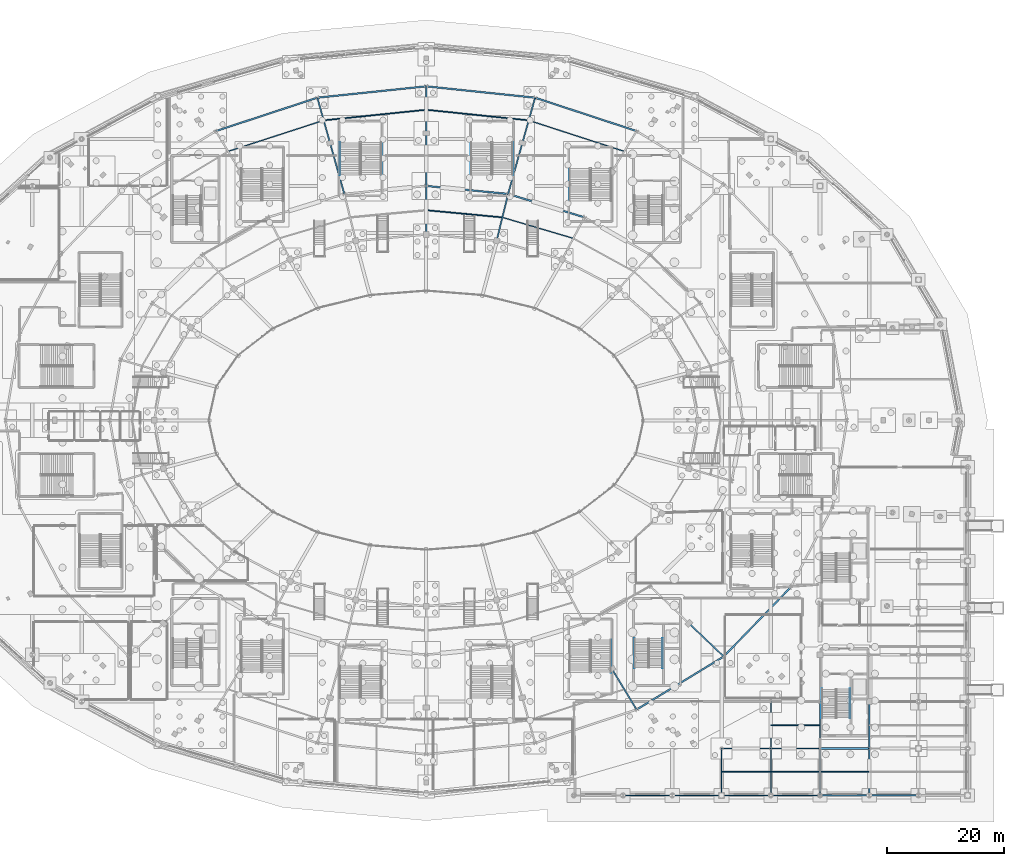
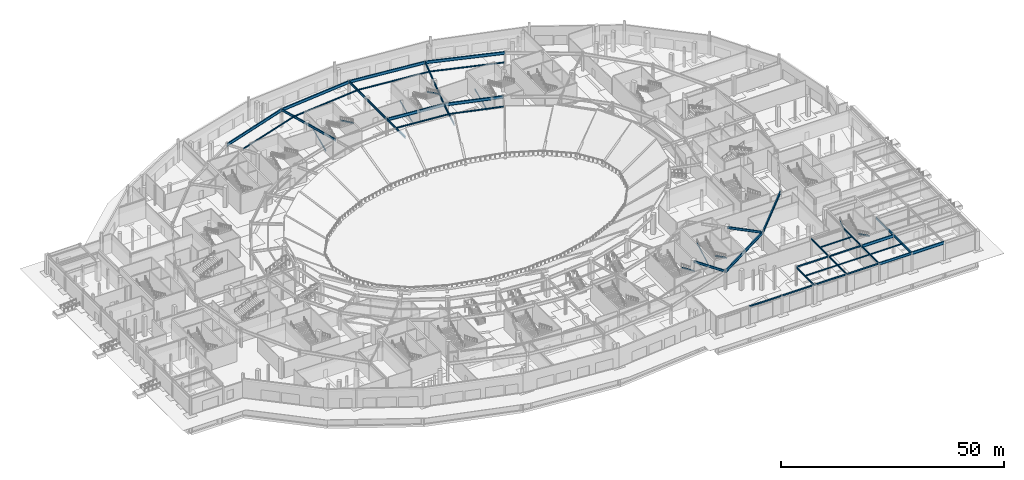
# One storey, part 36 of 93: 44 beams, 10 members.
"""IFC4 building model written with IfcOpenShell, lengths in metres."""

from ifc_helpers import new_model, si_unit, direction, frame, origin, origin_2d, place, context, subcontext, project, spatial, i_section, extrude, material, material_profile, profile_set, type_object, element, save


model = new_model("IFC4")

# Units and contexts
model_context = context("Model", 3, precision=1e-05, world=origin(), true_north=direction((0.0, 1.0)))
body_context = subcontext(model_context, "Body", "Model", "MODEL_VIEW")
ifc_project = project(units=[si_unit("LENGTHUNIT", "METRE"), si_unit("AREAUNIT", "SQUARE_METRE"), si_unit("VOLUMEUNIT", "CUBIC_METRE"), si_unit("PLANEANGLEUNIT", "RADIAN"), si_unit("MASSUNIT", "GRAM", prefix="KILO")], contexts=[model_context])

# Site, building, storey
site_placement = place(None, origin())
site = spatial("IfcSite", under=ifc_project, at=site_placement, CompositionType="ELEMENT")
building_placement = place(site_placement, origin())
building = spatial("IfcBuilding", under=site, at=building_placement, Name="Kalgoora Escarpment Arena", CompositionType="ELEMENT")
storey_placement = place(building_placement, origin())
storey = spatial("IfcBuildingStorey", under=building, at=storey_placement, Name="L00", CompositionType="ELEMENT", Elevation=0.0)

# Beams
ifc_material_1 = material(Name="Structural steel AS/NZS 3679 (300 MPa)", Category="steel")
ifc_material_profile_1 = material_profile(ifc_material_1, i_section(OverallWidth=0.172119140625, OverallDepth=0.35888671875, WebThickness=0.008056640625, FlangeThickness=0.012939453125, at=origin_2d()))
ifc_profile_set_1 = profile_set([ifc_material_profile_1], Name="Structural steel AS/NZS 3679 (300 MPa)")
beam_type_1 = type_object("IfcBeamType", Name="BM-BEAM-360UB56.7", PredefinedType="BEAM", material=ifc_profile_set_1)
beam_1_placement = place(storey_placement, frame((117.50244140625, 95.0556640625, 4.9404296875), z_axis=(-0.958914478104, 0.283695300775, 0.0), x_axis=(-0.283695300775, -0.958914478104, 0.0)))
element("IfcBeam", 1, at=beam_1_placement, inside=storey, type_object=beam_type_1, Name="L00 Concourse secondary ring beam 360UB56.7", PredefinedType="BEAM", context=body_context, shape_type="SweptSolid", body=[
    extrude(i_section(OverallWidth=0.172119140625, OverallDepth=0.35888671875, WebThickness=0.008056640625, FlangeThickness=0.012939453125, at=origin_2d()), origin(), (0.0, 0.0, 1.0), 12.627197265625),
])
beam_2_placement = place(storey_placement, frame((126.199951171875, 109.8994140625, 4.9404296875), z_axis=(-0.951103123122, 0.308873516489, 0.0), x_axis=(-0.308873516489, -0.951103123122, 0.0)))
element("IfcBeam", 2, at=beam_2_placement, inside=storey, type_object=beam_type_1, Name="L00 Concourse secondary ring beam 360UB56.7", PredefinedType="BEAM", context=body_context, shape_type="SweptSolid", body=[
    extrude(i_section(OverallWidth=0.172119140625, OverallDepth=0.35888671875, WebThickness=0.008056640625, FlangeThickness=0.012939453125, at=origin_2d()), origin(), (0.0, 0.0, 1.0), 17.141845703125),
])
beam_3_placement = place(storey_placement, frame((105.39404296875, 98.637939453125, 4.9404296875), z_axis=(-0.995605931387, 0.093642027892, 0.0), x_axis=(-0.093642027892, -0.995605931387, 0.0)))
element("IfcBeam", 3, at=beam_3_placement, inside=storey, type_object=beam_type_1, Name="L00 Concourse secondary ring beam 360UB56.7", PredefinedType="BEAM", context=body_context, shape_type="SweptSolid", body=[
    extrude(i_section(OverallWidth=0.172119140625, OverallDepth=0.35888671875, WebThickness=0.008056640625, FlangeThickness=0.012939453125, at=origin_2d()), origin(), (0.0, 0.0, 1.0), 13.051513671875),
])
beam_4_placement = place(storey_placement, frame((109.896240234375, 115.194091796875, 4.9404296875), z_axis=(-0.99471538009, 0.10267089467, 0.0), x_axis=(-0.10267089467, -0.99471538009, 0.0)))
element("IfcBeam", 4, at=beam_4_placement, inside=storey, type_object=beam_type_1, Name="L00 Concourse secondary ring beam 360UB56.7", PredefinedType="BEAM", context=body_context, shape_type="SweptSolid", body=[
    extrude(i_section(OverallWidth=0.172119140625, OverallDepth=0.35888671875, WebThickness=0.008056640625, FlangeThickness=0.012939453125, at=origin_2d()), origin(), (0.0, 0.0, 1.0), 17.58935546875),
])
beam_5_placement = place(storey_placement, frame((92.39990234375, 117.0, 4.9404296875), z_axis=(-0.994715233773, -0.102672312238, 0.0), x_axis=(0.102672312238, -0.994715233773, 0.0)))
element("IfcBeam", 5, at=beam_5_placement, inside=storey, type_object=beam_type_1, Name="L00 Concourse secondary ring beam 360UB56.7", PredefinedType="BEAM", context=body_context, shape_type="SweptSolid", body=[
    extrude(i_section(OverallWidth=0.172119140625, OverallDepth=0.35888671875, WebThickness=0.008056640625, FlangeThickness=0.012939453125, at=origin_2d()), origin(), (0.0, 0.0, 1.0), 17.589111328125),
])
beam_6_placement = place(storey_placement, frame((74.90380859375, 115.194091796875, 4.950439453125), z_axis=(-0.951103123122, -0.308873516489, 0.0), x_axis=(0.308873516489, -0.951103123122, 0.0)))
element("IfcBeam", 6, at=beam_6_placement, inside=storey, type_object=beam_type_1, Name="L00 Concourse secondary ring beam 360UB56.7", PredefinedType="BEAM", context=body_context, shape_type="SweptSolid", body=[
    extrude(i_section(OverallWidth=0.172119140625, OverallDepth=0.35888671875, WebThickness=0.008056640625, FlangeThickness=0.012939453125, at=origin_2d()), origin(), (0.0, 0.0, 1.0), 17.141845703125),
])
ifc_material_2 = material(Name="Structural steel AS/NZS 3679 (300 MPa)", Category="steel")
ifc_material_profile_2 = material_profile(ifc_material_2, i_section(OverallWidth=0.177978515625, OverallDepth=0.406005859375, WebThickness=0.0078125, FlangeThickness=0.0126953125, at=origin_2d()))
ifc_profile_set_2 = profile_set([ifc_material_profile_2], Name="Structural steel AS/NZS 3679 (300 MPa)")
beam_type_2 = type_object("IfcBeamType", Name="BM-GIRDER-410UB59.7", PredefinedType="USERDEFINED", material=ifc_profile_set_2)
beam_7_placement = place(storey_placement, frame((142.800048828125, 0.0, 4.947021484375), z_axis=(0.0, 1.0, 0.0), x_axis=(-1.0, 0.0, 0.0)))
element("IfcBeam", 7, at=beam_7_placement, inside=storey, type_object=beam_type_2, Name="L00 Floor girder 410UB59.7", ObjectType="GIRDER", PredefinedType="USERDEFINED", context=body_context, shape_type="SweptSolid", body=[
    extrude(i_section(OverallWidth=0.177978515625, OverallDepth=0.406005859375, WebThickness=0.0078125, FlangeThickness=0.0126953125, at=origin_2d()), origin(), (0.0, 0.0, 1.0), 8.0),
])
beam_8_placement = place(storey_placement, frame((142.800048828125, 8.0, 4.97705078125), z_axis=(1.0, 0.0, 0.0), x_axis=(0.0, 1.0, 0.0)))
element("IfcBeam", 8, at=beam_8_placement, inside=storey, type_object=beam_type_2, Name="L00 Floor girder 410UB59.7", ObjectType="GIRDER", PredefinedType="USERDEFINED", context=body_context, shape_type="SweptSolid", body=[
    extrude(i_section(OverallWidth=0.177978515625, OverallDepth=0.406005859375, WebThickness=0.0078125, FlangeThickness=0.0126953125, at=origin_2d()), origin(), (0.0, 0.0, 1.0), 8.39990234375),
])
beam_9_placement = place(storey_placement, frame((151.199951171875, 0.0, 4.947021484375), z_axis=(0.0, 1.0, 0.0), x_axis=(-1.0, 0.0, 0.0)))
element("IfcBeam", 9, at=beam_9_placement, inside=storey, type_object=beam_type_2, Name="L00 Floor girder 410UB59.7", ObjectType="GIRDER", PredefinedType="USERDEFINED", context=body_context, shape_type="SweptSolid", body=[
    extrude(i_section(OverallWidth=0.177978515625, OverallDepth=0.406005859375, WebThickness=0.0078125, FlangeThickness=0.0126953125, at=origin_2d()), origin(), (0.0, 0.0, 1.0), 8.0),
])
beam_10_placement = place(storey_placement, frame((151.199951171875, 8.0, 4.9169921875), z_axis=(1.0, 0.0, 0.0), x_axis=(0.0, 1.0, 0.0)))
element("IfcBeam", 10, at=beam_10_placement, inside=storey, type_object=beam_type_2, Name="L00 Floor girder 410UB59.7", ObjectType="GIRDER", PredefinedType="USERDEFINED", context=body_context, shape_type="SweptSolid", body=[
    extrude(i_section(OverallWidth=0.177978515625, OverallDepth=0.406005859375, WebThickness=0.0078125, FlangeThickness=0.0126953125, at=origin_2d()), origin(), (0.0, 0.0, 1.0), 8.400146484375),
])
for number, where, z_axis, x_axis, name in (
    (11, (151.199951171875, 8.0, 4.97705078125), (0.0, 1.0, 0.0), (-1.0, 0.0, 0.0), "L00 Floor girder 410UB59.7"),
    (12, (159.60009765625, 0.0, 4.9169921875), (0.0, 1.0, 0.0), (-1.0, 0.0, 0.0), "L00 Floor girder 410UB59.7"),
    (13, (159.60009765625, 8.0, 4.9169921875), (0.0, 1.0, 0.0), (-1.0, 0.0, 0.0), "L00 Floor girder 410UB59.7"),
):
    element("IfcBeam", number, at=place(storey_placement, frame(where, z_axis=z_axis, x_axis=x_axis)), inside=storey, type_object=beam_type_2, Name=name, ObjectType="GIRDER", PredefinedType="USERDEFINED", context=body_context, shape_type="SweptSolid", body=[
        extrude(i_section(OverallWidth=0.177978515625, OverallDepth=0.406005859375, WebThickness=0.0078125, FlangeThickness=0.0126953125, at=origin_2d()), origin(), (0.0, 0.0, 1.0), 8.0),
    ])
ifc_material_3 = material(Name="Structural steel AS/NZS 3679 (300 MPa)", Category="steel")
ifc_material_profile_3 = material_profile(ifc_material_3, i_section(OverallWidth=0.22900390625, OverallDepth=0.612060546875, WebThickness=0.011962890625, FlangeThickness=0.01953125, at=origin_2d()))
ifc_profile_set_3 = profile_set([ifc_material_profile_3], Name="Structural steel AS/NZS 3679 (300 MPa)")
beam_type_3 = type_object("IfcBeamType", Name="BM-GIRDER-610UB125", PredefinedType="USERDEFINED", material=ifc_profile_set_3)
for number, where, z_axis, x_axis, name in (
    (14, (168.0, 0.0, 4.81396484375), (0.0, 1.0, 0.0), (-1.0, 0.0, 0.0), "L00 Floor girder 610UB125"),
    (15, (168.0, 8.0, 4.81396484375), (0.0, 1.0, 0.0), (-1.0, 0.0, 0.0), "L00 Floor girder 610UB125"),
):
    element("IfcBeam", number, at=place(storey_placement, frame(where, z_axis=z_axis, x_axis=x_axis)), inside=storey, type_object=beam_type_3, Name=name, ObjectType="GIRDER", PredefinedType="USERDEFINED", context=body_context, shape_type="SweptSolid", body=[
        extrude(i_section(OverallWidth=0.22900390625, OverallDepth=0.612060546875, WebThickness=0.011962890625, FlangeThickness=0.01953125, at=origin_2d()), origin(), (0.0, 0.0, 1.0), 8.0),
    ])
beam_11_placement = place(storey_placement, frame((104.411865234375, 94.63916015625, 4.81396484375), z_axis=(0.238522773309, 0.971136904156, 0.0), x_axis=(-0.971136904156, 0.238522773309, 0.0)))
element("IfcBeam", 16, at=beam_11_placement, inside=storey, type_object=beam_type_3, Name="L00 Radial concourse girder 610UB125", ObjectType="GIRDER", PredefinedType="USERDEFINED", context=body_context, shape_type="SweptSolid", body=[
    extrude(i_section(OverallWidth=0.22900390625, OverallDepth=0.612060546875, WebThickness=0.011962890625, FlangeThickness=0.01953125, at=origin_2d()), origin(), (0.0, 0.0, 1.0), 8.235595703125),
])
beam_12_placement = place(storey_placement, frame((106.376220703125, 102.636962890625, 4.81396484375), z_axis=(0.269498512386, 0.963000805722, 0.0), x_axis=(-0.963000805722, 0.269498512386, 0.0)))
element("IfcBeam", 17, at=beam_12_placement, inside=storey, type_object=beam_type_3, Name="L00 Radial concourse girder 610UB125", ObjectType="GIRDER", PredefinedType="USERDEFINED", context=body_context, shape_type="SweptSolid", body=[
    extrude(i_section(OverallWidth=0.22900390625, OverallDepth=0.612060546875, WebThickness=0.011962890625, FlangeThickness=0.01953125, at=origin_2d()), origin(), (0.0, 0.0, 1.0), 9.02734375),
])
beam_13_placement = place(storey_placement, frame((108.80908203125, 111.330322265625, 4.81396484375), z_axis=(0.27082660355, 0.962628147734, 0.0), x_axis=(-0.962628147734, 0.27082660355, 0.0)))
element("IfcBeam", 18, at=beam_13_placement, inside=storey, type_object=beam_type_3, Name="L00 Radial concourse girder 610UB125", ObjectType="GIRDER", PredefinedType="USERDEFINED", context=body_context, shape_type="SweptSolid", body=[
    extrude(i_section(OverallWidth=0.22900390625, OverallDepth=0.612060546875, WebThickness=0.011962890625, FlangeThickness=0.01953125, at=origin_2d()), origin(), (0.0, 0.0, 1.0), 8.027587890625),
])
beam_14_placement = place(storey_placement, frame((92.39990234375, 95.719970703125, 4.81396484375), z_axis=(0.0, 1.0, 0.0), x_axis=(-1.0, 0.0, 0.0)))
element("IfcBeam", 19, at=beam_14_placement, inside=storey, type_object=beam_type_3, Name="L00 Radial concourse girder 610UB125", ObjectType="GIRDER", PredefinedType="USERDEFINED", context=body_context, shape_type="SweptSolid", body=[
    extrude(i_section(OverallWidth=0.22900390625, OverallDepth=0.612060546875, WebThickness=0.011962890625, FlangeThickness=0.01953125, at=origin_2d()), origin(), (0.0, 0.0, 1.0), 8.280029296875),
])
beam_15_placement = place(storey_placement, frame((92.39990234375, 104.0, 4.81396484375), z_axis=(0.0, 1.0, 0.0), x_axis=(-1.0, 0.0, 0.0)))
element("IfcBeam", 20, at=beam_15_placement, inside=storey, type_object=beam_type_3, Name="L00 Radial concourse girder 610UB125", ObjectType="GIRDER", PredefinedType="USERDEFINED", context=body_context, shape_type="SweptSolid", body=[
    extrude(i_section(OverallWidth=0.22900390625, OverallDepth=0.612060546875, WebThickness=0.011962890625, FlangeThickness=0.01953125, at=origin_2d()), origin(), (0.0, 0.0, 1.0), 9.0),
])
beam_16_placement = place(storey_placement, frame((92.39990234375, 113.0, 4.81396484375), z_axis=(0.0, 1.0, 0.0), x_axis=(-1.0, 0.0, 0.0)))
element("IfcBeam", 21, at=beam_16_placement, inside=storey, type_object=beam_type_3, Name="L00 Radial concourse girder 610UB125", ObjectType="GIRDER", PredefinedType="USERDEFINED", context=body_context, shape_type="SweptSolid", body=[
    extrude(i_section(OverallWidth=0.22900390625, OverallDepth=0.612060546875, WebThickness=0.011962890625, FlangeThickness=0.01953125, at=origin_2d()), origin(), (0.0, 0.0, 1.0), 8.0),
])
beam_17_placement = place(storey_placement, frame((78.423828125, 102.636962890625, 4.823974609375), z_axis=(-0.269498512386, 0.963000805722, 0.0), x_axis=(-0.963000805722, -0.269498512386, 0.0)))
element("IfcBeam", 22, at=beam_17_placement, inside=storey, type_object=beam_type_3, Name="L00 Radial concourse girder 610UB125", ObjectType="GIRDER", PredefinedType="USERDEFINED", context=body_context, shape_type="SweptSolid", body=[
    extrude(i_section(OverallWidth=0.22900390625, OverallDepth=0.612060546875, WebThickness=0.011962890625, FlangeThickness=0.01953125, at=origin_2d()), origin(), (0.0, 0.0, 1.0), 9.02734375),
])
beam_18_placement = place(storey_placement, frame((75.990966796875, 111.330322265625, 4.823974609375), z_axis=(-0.27082660355, 0.962628147734, 0.0), x_axis=(-0.962628147734, -0.27082660355, 0.0)))
element("IfcBeam", 23, at=beam_18_placement, inside=storey, type_object=beam_type_3, Name="L00 Radial concourse girder 610UB125", ObjectType="GIRDER", PredefinedType="USERDEFINED", context=body_context, shape_type="SweptSolid", body=[
    extrude(i_section(OverallWidth=0.22900390625, OverallDepth=0.612060546875, WebThickness=0.011962890625, FlangeThickness=0.01953125, at=origin_2d()), origin(), (0.0, 0.0, 1.0), 8.027587890625),
])
beam_19_placement = place(storey_placement, frame((124.10009765625, 21.564697265625, 4.8740234375), z_axis=(0.518407902139, -0.85513346736, 0.0), x_axis=(0.85513346736, 0.518407902139, 0.0)))
element("IfcBeam", 24, at=beam_19_placement, inside=storey, type_object=beam_type_3, Name="L00 Radial concourse girder 610UB125", ObjectType="GIRDER", PredefinedType="USERDEFINED", context=body_context, shape_type="SweptSolid", body=[
    extrude(i_section(OverallWidth=0.22900390625, OverallDepth=0.612060546875, WebThickness=0.011962890625, FlangeThickness=0.01953125, at=origin_2d()), origin(), (0.0, 0.0, 1.0), 8.1015625),
])
beam_20_placement = place(storey_placement, frame((137.230712890625, 29.351806640625, 4.81396484375), z_axis=(0.724130144905, -0.689663347757, 0.0), x_axis=(0.689663347757, 0.724130144905, 0.0)))
element("IfcBeam", 25, at=beam_20_placement, inside=storey, type_object=beam_type_3, Name="L00 Radial concourse girder 610UB125", ObjectType="GIRDER", PredefinedType="USERDEFINED", context=body_context, shape_type="SweptSolid", body=[
    extrude(i_section(OverallWidth=0.22900390625, OverallDepth=0.612060546875, WebThickness=0.011962890625, FlangeThickness=0.01953125, at=origin_2d()), origin(), (0.0, 0.0, 1.0), 8.20263671875),
])
ifc_material_4 = material(Name="Structural steel AS/NZS 3679 (300 MPa)", Category="steel")
ifc_material_profile_4 = material_profile(ifc_material_4, i_section(OverallWidth=0.27490234375, OverallDepth=0.800048828125, WebThickness=0.011962890625, FlangeThickness=0.02197265625, at=origin_2d()))
ifc_profile_set_4 = profile_set([ifc_material_profile_4], Name="Structural steel AS/NZS 3679 (300 MPa)")
beam_type_4 = type_object("IfcBeamType", Name="BM-GIRDER-800WB168", PredefinedType="USERDEFINED", material=ifc_profile_set_4)
beam_21_placement = place(storey_placement, frame((159.60009765625, 8.0, 4.719970703125), z_axis=(1.0, 0.0, 0.0), x_axis=(0.0, 1.0, 0.0)))
element("IfcBeam", 26, at=beam_21_placement, inside=storey, type_object=beam_type_4, Name="L00 Floor girder 800WB168", ObjectType="GIRDER", PredefinedType="USERDEFINED", context=body_context, shape_type="SweptSolid", body=[
    extrude(i_section(OverallWidth=0.27490234375, OverallDepth=0.800048828125, WebThickness=0.011962890625, FlangeThickness=0.02197265625, at=origin_2d()), origin(), (0.0, 0.0, 1.0), 8.39990234375),
])
beam_22_placement = place(storey_placement, frame((119.39990234375, 98.64111328125, 4.719970703125), z_axis=(-0.956014681671, 0.293318817038, 0.0), x_axis=(-0.293318817038, -0.956014681671, 0.0)))
element("IfcBeam", 27, at=beam_22_placement, inside=storey, type_object=beam_type_4, Name="L00 Circumferential concourse girder RMAIN 800WB168", ObjectType="GIRDER", PredefinedType="USERDEFINED", context=body_context, shape_type="SweptSolid", body=[
    extrude(i_section(OverallWidth=0.27490234375, OverallDepth=0.800048828125, WebThickness=0.011962890625, FlangeThickness=0.02197265625, at=origin_2d()), origin(), (0.0, 0.0, 1.0), 13.622802734375),
])
beam_23_placement = place(storey_placement, frame((106.376220703125, 102.636962890625, 4.719970703125), z_axis=(-0.995278116569, 0.097064260569, 0.0), x_axis=(-0.097064260569, -0.995278116569, 0.0)))
element("IfcBeam", 28, at=beam_23_placement, inside=storey, type_object=beam_type_4, Name="L00 Circumferential concourse girder RMAIN 800WB168", ObjectType="GIRDER", PredefinedType="USERDEFINED", context=body_context, shape_type="SweptSolid", body=[
    extrude(i_section(OverallWidth=0.27490234375, OverallDepth=0.800048828125, WebThickness=0.011962890625, FlangeThickness=0.02197265625, at=origin_2d()), origin(), (0.0, 0.0, 1.0), 14.042724609375),
])
ifc_material_5 = material(Name="Structural steel AS/NZS 3679 (300 MPa)", Category="steel")
ifc_material_profile_5 = material_profile(ifc_material_5, i_section(OverallWidth=0.166015625, OverallDepth=0.306884765625, WebThickness=0.006591796875, FlangeThickness=0.01171875, at=origin_2d()))
ifc_profile_set_5 = profile_set([ifc_material_profile_5], Name="Structural steel AS/NZS 3679 (300 MPa)")
beam_type_5 = type_object("IfcBeamType", Name="BM-JOIST-310UB46.2", PredefinedType="JOIST", material=ifc_profile_set_5)
beam_24_placement = place(storey_placement, frame((142.800048828125, 4.0, 4.99658203125), z_axis=(1.0, 0.0, 0.0), x_axis=(0.0, 1.0, 0.0)))
element("IfcBeam", 29, at=beam_24_placement, inside=storey, type_object=beam_type_5, Name="L00 Secondary composite floor joist 310UB46.2", PredefinedType="JOIST", context=body_context, shape_type="SweptSolid", body=[
    extrude(i_section(OverallWidth=0.166015625, OverallDepth=0.306884765625, WebThickness=0.006591796875, FlangeThickness=0.01171875, at=origin_2d()), origin(), (0.0, 0.0, 1.0), 8.322021484375),
])
beam_25_placement = place(storey_placement, frame((151.278076171875, 4.0, 4.99658203125), z_axis=(1.0, 0.0, 0.0), x_axis=(0.0, 1.0, 0.0)))
element("IfcBeam", 30, at=beam_25_placement, inside=storey, type_object=beam_type_5, Name="L00 Secondary composite floor joist 310UB46.2", PredefinedType="JOIST", context=body_context, shape_type="SweptSolid", body=[
    extrude(i_section(OverallWidth=0.166015625, OverallDepth=0.306884765625, WebThickness=0.006591796875, FlangeThickness=0.01171875, at=origin_2d()), origin(), (0.0, 0.0, 1.0), 8.243896484375),
])
beam_26_placement = place(storey_placement, frame((151.199951171875, 12.0, 4.966552734375), z_axis=(1.0, 0.0, 0.0), x_axis=(0.0, 1.0, 0.0)))
element("IfcBeam", 31, at=beam_26_placement, inside=storey, type_object=beam_type_5, Name="L00 Secondary composite floor joist 310UB46.2", PredefinedType="JOIST", context=body_context, shape_type="SweptSolid", body=[
    extrude(i_section(OverallWidth=0.166015625, OverallDepth=0.306884765625, WebThickness=0.006591796875, FlangeThickness=0.01171875, at=origin_2d()), origin(), (0.0, 0.0, 1.0), 8.400146484375),
])
beam_27_placement = place(storey_placement, frame((159.677978515625, 4.0, 4.99658203125), z_axis=(1.0, 0.0, 0.0), x_axis=(0.0, 1.0, 0.0)))
element("IfcBeam", 32, at=beam_27_placement, inside=storey, type_object=beam_type_5, Name="L00 Secondary composite floor joist 310UB46.2", PredefinedType="JOIST", context=body_context, shape_type="SweptSolid", body=[
    extrude(i_section(OverallWidth=0.166015625, OverallDepth=0.306884765625, WebThickness=0.006591796875, FlangeThickness=0.01171875, at=origin_2d()), origin(), (0.0, 0.0, 1.0), 8.244140625),
])
ifc_material_6 = material(Name="Structural steel AS/NZS 3679 (300 MPa)", Category="steel")
ifc_material_profile_6 = material_profile(ifc_material_6, i_section(OverallWidth=0.177978515625, OverallDepth=0.406005859375, WebThickness=0.0078125, FlangeThickness=0.0126953125, at=origin_2d()))
ifc_profile_set_6 = profile_set([ifc_material_profile_6], Name="Structural steel AS/NZS 3679 (300 MPa)")
beam_type_6 = type_object("IfcBeamType", Name="BM-SPANDREL-410UB59.7", PredefinedType="SPANDREL", material=ifc_profile_set_6)
beam_28_placement = place(storey_placement, frame((126.0, 0.0, 4.947021484375), z_axis=(1.0, 0.0, 0.0), x_axis=(0.0, 1.0, 0.0)))
element("IfcBeam", 33, at=beam_28_placement, inside=storey, type_object=beam_type_6, Name="L00 Floor girder 410UB59.7", PredefinedType="SPANDREL", context=body_context, shape_type="SweptSolid", body=[
    extrude(i_section(OverallWidth=0.177978515625, OverallDepth=0.406005859375, WebThickness=0.0078125, FlangeThickness=0.0126953125, at=origin_2d()), origin(), (0.0, 0.0, 1.0), 8.39990234375),
])
beam_29_placement = place(storey_placement, frame((134.39990234375, 0.0, 4.947021484375), z_axis=(1.0, 0.0, 0.0), x_axis=(0.0, 1.0, 0.0)))
element("IfcBeam", 34, at=beam_29_placement, inside=storey, type_object=beam_type_6, Name="L00 Floor girder 410UB59.7", PredefinedType="SPANDREL", context=body_context, shape_type="SweptSolid", body=[
    extrude(i_section(OverallWidth=0.177978515625, OverallDepth=0.406005859375, WebThickness=0.0078125, FlangeThickness=0.0126953125, at=origin_2d()), origin(), (0.0, 0.0, 1.0), 8.400146484375),
])
beam_30_placement = place(storey_placement, frame((142.800048828125, 0.0, 4.947021484375), z_axis=(1.0, 0.0, 0.0), x_axis=(0.0, 1.0, 0.0)))
element("IfcBeam", 35, at=beam_30_placement, inside=storey, type_object=beam_type_6, Name="L00 Floor girder 410UB59.7", PredefinedType="SPANDREL", context=body_context, shape_type="SweptSolid", body=[
    extrude(i_section(OverallWidth=0.177978515625, OverallDepth=0.406005859375, WebThickness=0.0078125, FlangeThickness=0.0126953125, at=origin_2d()), origin(), (0.0, 0.0, 1.0), 8.39990234375),
])
beam_31_placement = place(storey_placement, frame((151.199951171875, 0.0, 4.947021484375), z_axis=(1.0, 0.0, 0.0), x_axis=(0.0, 1.0, 0.0)))
element("IfcBeam", 36, at=beam_31_placement, inside=storey, type_object=beam_type_6, Name="L00 Floor girder 410UB59.7", PredefinedType="SPANDREL", context=body_context, shape_type="SweptSolid", body=[
    extrude(i_section(OverallWidth=0.177978515625, OverallDepth=0.406005859375, WebThickness=0.0078125, FlangeThickness=0.0126953125, at=origin_2d()), origin(), (0.0, 0.0, 1.0), 8.400146484375),
])
ifc_material_7 = material(Name="Structural steel AS/NZS 3679 (300 MPa)", Category="steel")
ifc_material_profile_7 = material_profile(ifc_material_7, i_section(OverallWidth=0.25, OverallDepth=0.699951171875, WebThickness=0.010009765625, FlangeThickness=0.02001953125, at=origin_2d()))
ifc_profile_set_7 = profile_set([ifc_material_profile_7], Name="Structural steel AS/NZS 3679 (300 MPa)")
beam_type_7 = type_object("IfcBeamType", Name="BM-SPANDREL-700WB130", PredefinedType="SPANDREL", material=ifc_profile_set_7)
beam_32_placement = place(storey_placement, frame((159.60009765625, 0.0, 4.800048828125), z_axis=(1.0, 0.0, 0.0), x_axis=(0.0, 1.0, 0.0)))
element("IfcBeam", 37, at=beam_32_placement, inside=storey, type_object=beam_type_7, Name="L00 Floor girder 700WB130", PredefinedType="SPANDREL", context=body_context, shape_type="SweptSolid", body=[
    extrude(i_section(OverallWidth=0.25, OverallDepth=0.699951171875, WebThickness=0.010009765625, FlangeThickness=0.02001953125, at=origin_2d()), origin(), (0.0, 0.0, 1.0), 8.39990234375),
])
ifc_material_8 = material(Name="Structural steel AS/NZS 3679 (300 MPa)", Category="steel")
ifc_material_profile_8 = material_profile(ifc_material_8, i_section(OverallWidth=0.27490234375, OverallDepth=0.800048828125, WebThickness=0.011962890625, FlangeThickness=0.02197265625, at=origin_2d()))
ifc_profile_set_8 = profile_set([ifc_material_profile_8], Name="Structural steel AS/NZS 3679 (300 MPa)")
beam_type_8 = type_object("IfcBeamType", Name="BM-SPANDREL-800WB168", PredefinedType="SPANDREL", material=ifc_profile_set_8)
beam_33_placement = place(storey_placement, frame((168.0, 0.0, 4.75), z_axis=(1.0, 0.0, 0.0), x_axis=(0.0, 1.0, 0.0)))
element("IfcBeam", 38, at=beam_33_placement, inside=storey, type_object=beam_type_8, Name="L00 Floor girder 800WB168", PredefinedType="SPANDREL", context=body_context, shape_type="SweptSolid", body=[
    extrude(i_section(OverallWidth=0.27490234375, OverallDepth=0.800048828125, WebThickness=0.011962890625, FlangeThickness=0.02197265625, at=origin_2d()), origin(), (0.0, 0.0, 1.0), 8.39990234375),
])
beam_34_placement = place(storey_placement, frame((128.300048828125, 113.36328125, 4.719970703125), z_axis=(-0.949954555117, 0.312388129115, 0.0), x_axis=(-0.312388129115, -0.949954555117, 0.0)))
element("IfcBeam", 39, at=beam_34_placement, inside=storey, type_object=beam_type_8, Name="L00 Circumferential concourse girder RCONC2 800WB168", PredefinedType="SPANDREL", context=body_context, shape_type="SweptSolid", body=[
    extrude(i_section(OverallWidth=0.27490234375, OverallDepth=0.800048828125, WebThickness=0.011962890625, FlangeThickness=0.02197265625, at=origin_2d()), origin(), (0.0, 0.0, 1.0), 18.229248046875),
])
beam_35_placement = place(storey_placement, frame((110.983154296875, 119.057861328125, 4.719970703125), z_axis=(-0.994583146525, 0.103944045753, 0.0), x_axis=(-0.103944045753, -0.994583146525, 0.0)))
element("IfcBeam", 40, at=beam_35_placement, inside=storey, type_object=beam_type_8, Name="L00 Circumferential concourse girder RCONC2 800WB168", PredefinedType="SPANDREL", context=body_context, shape_type="SweptSolid", body=[
    extrude(i_section(OverallWidth=0.27490234375, OverallDepth=0.800048828125, WebThickness=0.011962890625, FlangeThickness=0.02197265625, at=origin_2d()), origin(), (0.0, 0.0, 1.0), 18.6845703125),
])
beam_36_placement = place(storey_placement, frame((92.39990234375, 121.0, 4.719970703125), z_axis=(-0.994583005347, -0.103945396599, 0.0), x_axis=(0.103945396599, -0.994583005347, 0.0)))
element("IfcBeam", 41, at=beam_36_placement, inside=storey, type_object=beam_type_8, Name="L00 Circumferential concourse girder RCONC2 800WB168", PredefinedType="SPANDREL", context=body_context, shape_type="SweptSolid", body=[
    extrude(i_section(OverallWidth=0.27490234375, OverallDepth=0.800048828125, WebThickness=0.011962890625, FlangeThickness=0.02197265625, at=origin_2d()), origin(), (0.0, 0.0, 1.0), 18.684326171875),
])
beam_37_placement = place(storey_placement, frame((73.81689453125, 119.057861328125, 4.72998046875), z_axis=(-0.949954555117, -0.312388129115, 0.0), x_axis=(0.312388129115, -0.949954555117, 0.0)))
element("IfcBeam", 42, at=beam_37_placement, inside=storey, type_object=beam_type_8, Name="L00 Circumferential concourse girder RCONC2 800WB168", PredefinedType="SPANDREL", context=body_context, shape_type="SweptSolid", body=[
    extrude(i_section(OverallWidth=0.27490234375, OverallDepth=0.800048828125, WebThickness=0.011962890625, FlangeThickness=0.02197265625, at=origin_2d()), origin(), (0.0, 0.0, 1.0), 18.229248046875),
])
beam_38_placement = place(storey_placement, frame((128.300048828125, 14.63671875, 4.780029296875), z_axis=(0.854030640858, 0.520222706613, 0.0), x_axis=(-0.520222706613, 0.854030640858, 0.0)))
element("IfcBeam", 43, at=beam_38_placement, inside=storey, type_object=beam_type_8, Name="L00 Circumferential concourse girder RCONC2 800WB168", PredefinedType="SPANDREL", context=body_context, shape_type="SweptSolid", body=[
    extrude(i_section(OverallWidth=0.27490234375, OverallDepth=0.800048828125, WebThickness=0.011962890625, FlangeThickness=0.02197265625, at=origin_2d()), origin(), (0.0, 0.0, 1.0), 17.411865234375),
])
beam_39_placement = place(storey_placement, frame((143.17041015625, 23.69482421875, 4.719970703125), z_axis=(0.694974435465, 0.719034445663, 0.0), x_axis=(-0.719034445663, 0.694974435465, 0.0)))
element("IfcBeam", 44, at=beam_39_placement, inside=storey, type_object=beam_type_8, Name="L00 Circumferential concourse girder RCONC2 800WB168", PredefinedType="SPANDREL", context=body_context, shape_type="SweptSolid", body=[
    extrude(i_section(OverallWidth=0.27490234375, OverallDepth=0.800048828125, WebThickness=0.011962890625, FlangeThickness=0.02197265625, at=origin_2d()), origin(), (0.0, 0.0, 1.0), 16.418212890625),
])

# Members
ifc_material_9 = material(Name="Structural steel AS/NZS 3679 (300 MPa)", Category="steel")
ifc_material_profile_9 = material_profile(ifc_material_9, i_section(OverallWidth=0.090087890625, OverallDepth=0.300048828125, WebThickness=0.008056640625, FlangeThickness=0.01611328125, at=origin_2d()))
ifc_profile_set_9 = profile_set([ifc_material_profile_9], Name="Structural steel AS/NZS 3679 (300 MPa)")
member_type = type_object("IfcMemberType", Name="MEM-STRINGER-PFC", PredefinedType="STRINGER", material=ifc_profile_set_9)
member_1_placement = place(storey_placement, frame((132.72998046875, 26.7099609375, 0.219970703125), z_axis=(0.0, -0.89551991786, 0.445021433996), x_axis=(1.0, 0.0, 0.0)))
element("IfcMember", 45, at=member_1_placement, inside=storey, type_object=member_type, Name="ST06 L00 steel stair stringer 1", PredefinedType="STRINGER", context=body_context, shape_type="SweptSolid", body=[
    extrude(i_section(OverallWidth=0.090087890625, OverallDepth=0.300048828125, WebThickness=0.008056640625, FlangeThickness=0.01611328125, at=origin_2d()), origin(), (0.0, 0.0, 1.0), 5.482666015625),
])
member_2_placement = place(storey_placement, frame((127.969970703125, 21.800048828125, 2.659912109375), z_axis=(0.0, 0.876235225934, 0.481883625818), x_axis=(-1.0, 0.0, 0.0)))
element("IfcMember", 46, at=member_2_placement, inside=storey, type_object=member_type, Name="ST06 L00 steel stair stringer 2", PredefinedType="STRINGER", context=body_context, shape_type="SweptSolid", body=[
    extrude(i_section(OverallWidth=0.090087890625, OverallDepth=0.300048828125, WebThickness=0.008056640625, FlangeThickness=0.01611328125, at=origin_2d()), origin(), (0.0, 0.0, 1.0), 5.603515625),
])
member_3_placement = place(storey_placement, frame((164.72998046875, 18.110107421875, 0.219970703125), z_axis=(0.0, -0.89552873601, 0.445003688727), x_axis=(1.0, 0.0, 0.0)))
element("IfcMember", 47, at=member_3_placement, inside=storey, type_object=member_type, Name="ST08 L00 steel stair stringer 1", PredefinedType="STRINGER", context=body_context, shape_type="SweptSolid", body=[
    extrude(i_section(OverallWidth=0.090087890625, OverallDepth=0.300048828125, WebThickness=0.008056640625, FlangeThickness=0.01611328125, at=origin_2d()), origin(), (0.0, 0.0, 1.0), 5.48291015625),
])
member_4_placement = place(storey_placement, frame((159.969970703125, 13.199951171875, 2.659912109375), z_axis=(0.0, 0.876245342812, 0.481865229291), x_axis=(-1.0, 0.0, 0.0)))
element("IfcMember", 48, at=member_4_placement, inside=storey, type_object=member_type, Name="ST08 L00 steel stair stringer 2", PredefinedType="STRINGER", context=body_context, shape_type="SweptSolid", body=[
    extrude(i_section(OverallWidth=0.090087890625, OverallDepth=0.300048828125, WebThickness=0.008056640625, FlangeThickness=0.01611328125, at=origin_2d()), origin(), (0.0, 0.0, 1.0), 5.603515625),
])
member_5_placement = place(storey_placement, frame((77.669921875, 105.889892578125, 0.219970703125), z_axis=(0.0, 0.914229045155, 0.405197794904), x_axis=(-1.0, 0.0, 0.0)))
element("IfcMember", 49, at=member_5_placement, inside=storey, type_object=member_type, Name="ST10 L00 steel stair stringer 1", PredefinedType="STRINGER", context=body_context, shape_type="SweptSolid", body=[
    extrude(i_section(OverallWidth=0.090087890625, OverallDepth=0.300048828125, WebThickness=0.008056640625, FlangeThickness=0.01611328125, at=origin_2d()), origin(), (0.0, 0.0, 1.0), 6.021484375),
])
member_6_placement = place(storey_placement, frame((84.72998046875, 111.39501953125, 2.659912109375), z_axis=(0.0, -0.897817331148, 0.440368073196), x_axis=(1.0, 0.0, 0.0)))
element("IfcMember", 50, at=member_6_placement, inside=storey, type_object=member_type, Name="ST10 L00 steel stair stringer 2", PredefinedType="STRINGER", context=body_context, shape_type="SweptSolid", body=[
    extrude(i_section(OverallWidth=0.090087890625, OverallDepth=0.300048828125, WebThickness=0.008056640625, FlangeThickness=0.01611328125, at=origin_2d()), origin(), (0.0, 0.0, 1.0), 6.131591796875),
])
member_7_placement = place(storey_placement, frame((100.070068359375, 105.889892578125, 0.219970703125), z_axis=(0.0, 0.914229045155, 0.405197794904), x_axis=(-1.0, 0.0, 0.0)))
element("IfcMember", 51, at=member_7_placement, inside=storey, type_object=member_type, Name="ST11 L00 steel stair stringer 1", PredefinedType="STRINGER", context=body_context, shape_type="SweptSolid", body=[
    extrude(i_section(OverallWidth=0.090087890625, OverallDepth=0.300048828125, WebThickness=0.008056640625, FlangeThickness=0.01611328125, at=origin_2d()), origin(), (0.0, 0.0, 1.0), 6.021484375),
])
member_8_placement = place(storey_placement, frame((107.1298828125, 111.39501953125, 2.659912109375), z_axis=(0.0, -0.897817331148, 0.440368073196), x_axis=(1.0, 0.0, 0.0)))
element("IfcMember", 52, at=member_8_placement, inside=storey, type_object=member_type, Name="ST11 L00 steel stair stringer 2", PredefinedType="STRINGER", context=body_context, shape_type="SweptSolid", body=[
    extrude(i_section(OverallWidth=0.090087890625, OverallDepth=0.300048828125, WebThickness=0.008056640625, FlangeThickness=0.01611328125, at=origin_2d()), origin(), (0.0, 0.0, 1.0), 6.131591796875),
])
for number, where, z_axis, x_axis, name in (
    (53, (116.8701171875, 101.489990234375, 0.219970703125), (0.0, 0.914229045155, 0.405197794904), (-1.0, 0.0, 0.0), "ST12 L00 steel stair stringer 1"),
    (54, (123.929931640625, 26.510009765625, 0.219970703125), (0.0, -0.914229045155, 0.405197794904), (1.0, 0.0, 0.0), "ST16 L00 steel stair stringer 1"),
):
    element("IfcMember", number, at=place(storey_placement, frame(where, z_axis=z_axis, x_axis=x_axis)), inside=storey, type_object=member_type, Name=name, PredefinedType="STRINGER", context=body_context, shape_type="SweptSolid", body=[
        extrude(i_section(OverallWidth=0.090087890625, OverallDepth=0.300048828125, WebThickness=0.008056640625, FlangeThickness=0.01611328125, at=origin_2d()), origin(), (0.0, 0.0, 1.0), 6.021484375),
    ])

save(model, "model.ifc")
